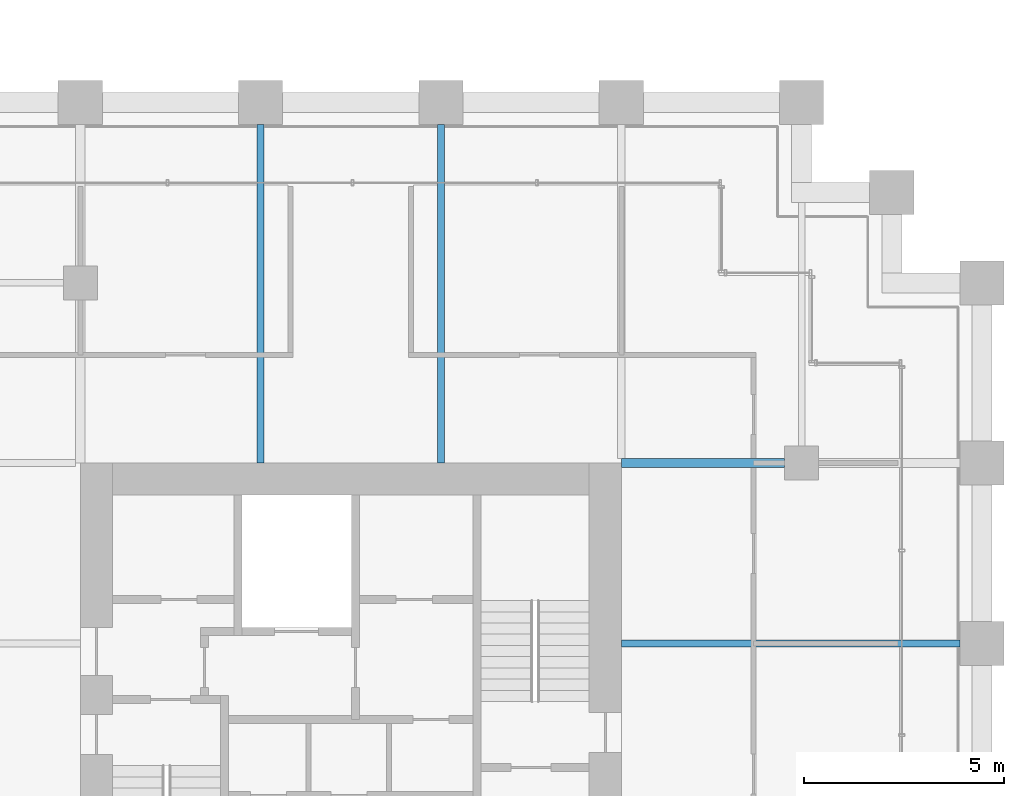
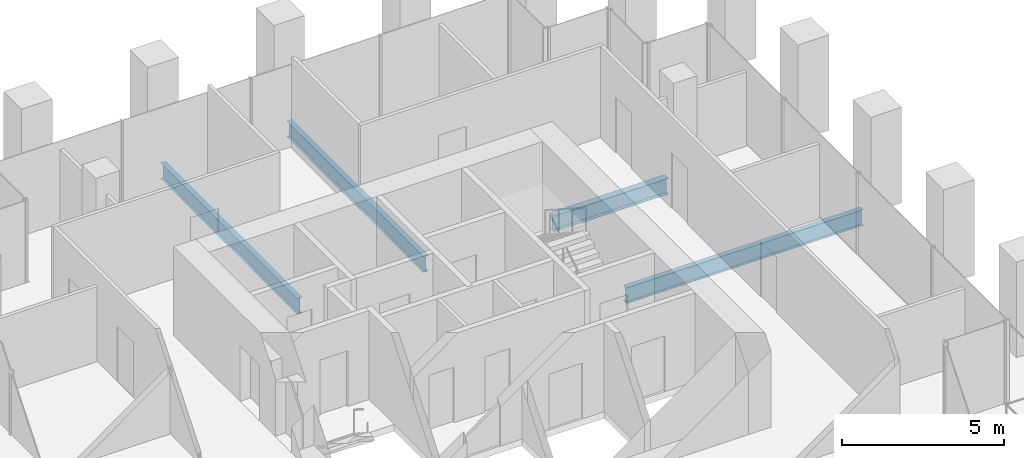
# One storey, part 43 of 56: 4 beams.
"""IFC4 building model written with IfcOpenShell, lengths in metres."""

from ifc_helpers import new_model, si_unit, direction, frame, origin, origin_2d, place, context, subcontext, project, spatial, i_section, extrude, material, material_profile, profile_set, type_object, element, save


model = new_model("IFC4")

# Units and contexts
model_context = context("Model", 3, precision=1e-05, world=origin(), true_north=direction((0.0, 1.0)))
body_context = subcontext(model_context, "Body", "Model", "MODEL_VIEW")
ifc_project = project(units=[si_unit("LENGTHUNIT", "METRE"), si_unit("AREAUNIT", "SQUARE_METRE"), si_unit("VOLUMEUNIT", "CUBIC_METRE"), si_unit("PLANEANGLEUNIT", "RADIAN"), si_unit("MASSUNIT", "GRAM", prefix="KILO")], contexts=[model_context])

# Site, building, storey
site_placement = place(None, origin())
site = spatial("IfcSite", under=ifc_project, at=site_placement, CompositionType="ELEMENT")
building_placement = place(site_placement, origin())
building = spatial("IfcBuilding", under=site, at=building_placement, Name="Altepetl Exchange Towers", CompositionType="ELEMENT")
storey_placement = place(building_placement, frame((0.0, 0.0, 51.0)))
storey = spatial("IfcBuildingStorey", under=building, at=storey_placement, Name="L11", CompositionType="ELEMENT", Elevation=51.0)

# Beams
ifc_material = material(Name="Steel S355", Category="steel")
ifc_material_profile_1 = material_profile(ifc_material, i_section(OverallWidth=0.177978515625, OverallDepth=0.59912109375, WebThickness=0.010009765625, FlangeThickness=0.0126953125, at=origin_2d()), Name="W24X55")
ifc_profile_set_1 = profile_set([ifc_material_profile_1], Name="Steel S355")
beam_type_1 = type_object("IfcBeamType", Name="Floor beam W24X55", PredefinedType="BEAM", material=ifc_profile_set_1)
for number, where, z_axis, x_axis, name in (
    (1, (108.0, 49.5, -0.449462890625), (0.0, 1.0, 0.0), (-1.0, 0.0, 0.0), "bm:B:L11:000"),
    (2, (112.5, 49.5, -0.449462890625), (0.0, 1.0, 0.0), (-1.0, 0.0, 0.0), "bm:B:L11:001"),
    (3, (117.0, 45.0, -0.449462890625), (1.0, 0.0, 0.0), (0.0, 1.0, 0.0), "bm:B:L11:007"),
):
    element("IfcBeam", number, at=place(storey_placement, frame(where, z_axis=z_axis, x_axis=x_axis)), inside=storey, type_object=beam_type_1, Name=name, PredefinedType="BEAM", context=body_context, shape_type="SweptSolid", body=[
        extrude(i_section(OverallWidth=0.177978515625, OverallDepth=0.59912109375, WebThickness=0.010009765625, FlangeThickness=0.0126953125, at=origin_2d()), origin(), (0.0, 0.0, 1.0), 8.449951171875),
    ])
ifc_material_profile_2 = material_profile(ifc_material, i_section(OverallWidth=0.22802734375, OverallDepth=0.60791015625, WebThickness=0.01123046875, FlangeThickness=0.017333984375, at=origin_2d()), Name="W24X76")
ifc_profile_set_2 = profile_set([ifc_material_profile_2], Name="Steel S355")
beam_type_2 = type_object("IfcBeamType", Name="Girder W24X76", PredefinedType="BEAM", material=ifc_profile_set_2)
beam_placement = place(storey_placement, frame((117.0, 49.5, -0.4541015625), z_axis=(1.0, 0.0, 0.0), x_axis=(0.0, 1.0, 0.0)))
element("IfcBeam", 4, at=beam_placement, inside=storey, type_object=beam_type_2, Name="gd:B:L11:000", PredefinedType="BEAM", context=body_context, shape_type="SweptSolid", body=[
    extrude(i_section(OverallWidth=0.22802734375, OverallDepth=0.60791015625, WebThickness=0.01123046875, FlangeThickness=0.017333984375, at=origin_2d()), origin(), (0.0, 0.0, 1.0), 4.074951171875),
])

save(model, "model.ifc")
